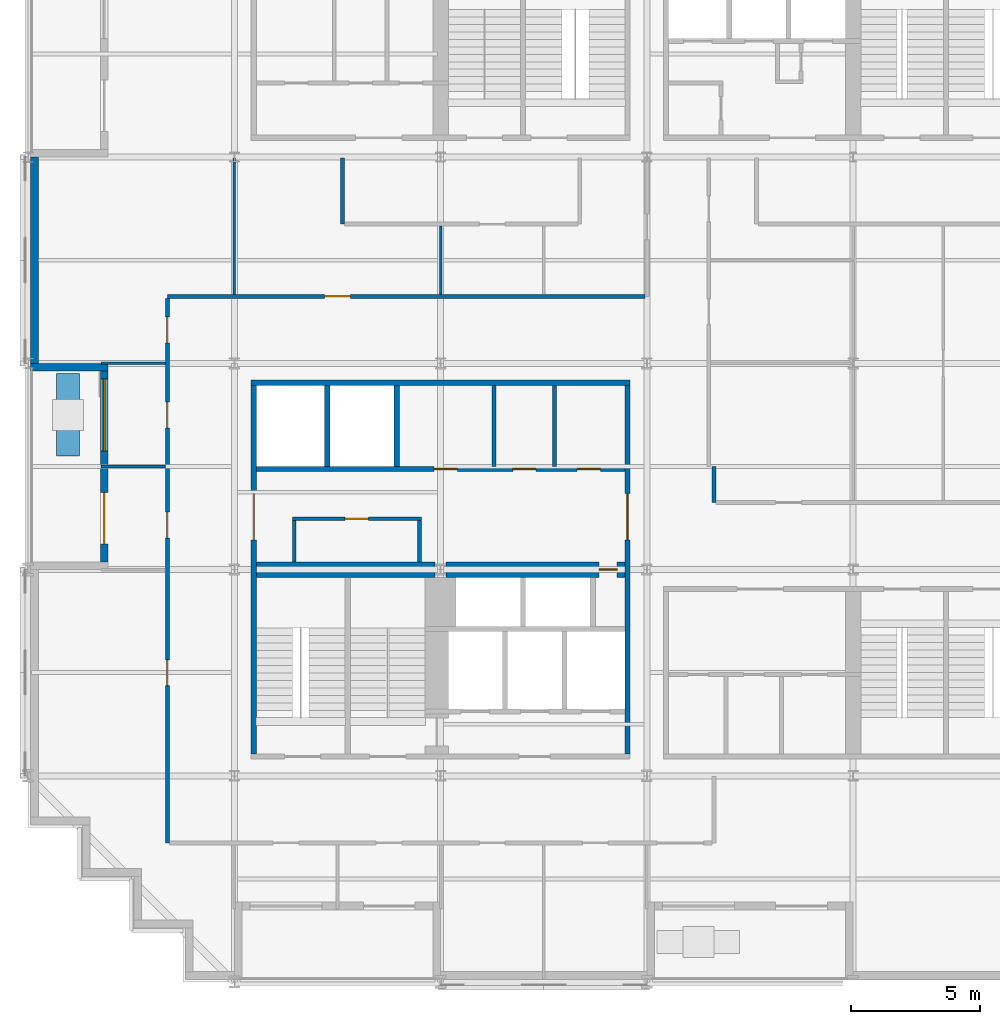
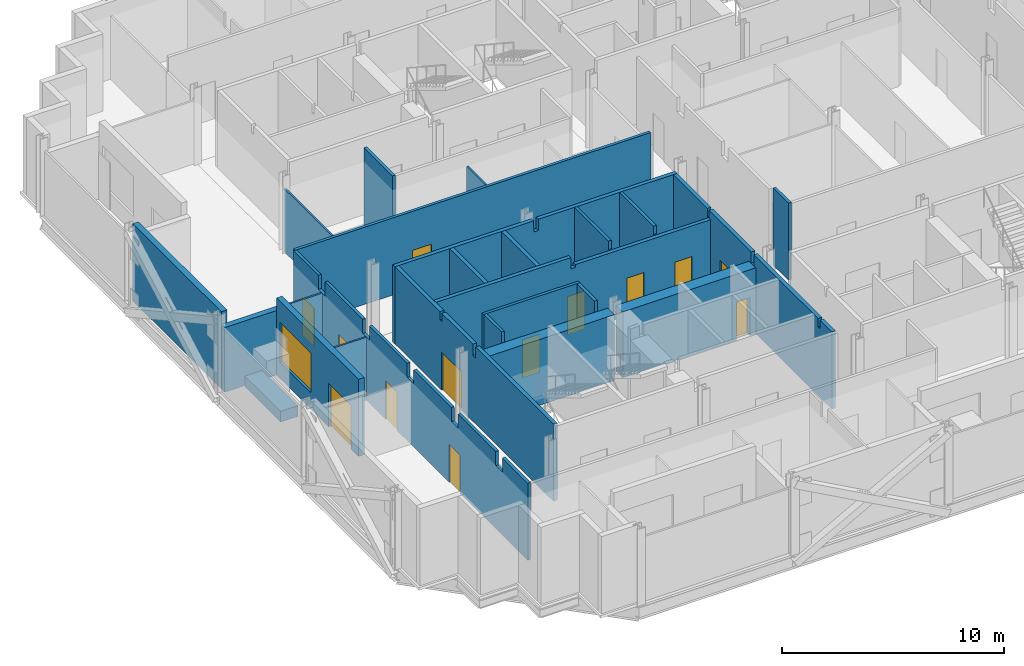
# One storey, part 7 of 15: 25 walls, 13 doors, 1 window, 14 openings.
"""IFC4 building model written with IfcOpenShell, lengths in metres."""

from ifc_helpers import new_model, si_unit, direction, frame, frame_2d, origin, place, context, subcontext, project, spatial, polyline, rectangle, outline, extrude, material, layer, layer_set, type_object, element, fill, save


model = new_model("IFC4")

# Units and contexts
model_context = context("Model", 3, precision=1e-05, world=origin(), true_north=direction((0.0, 1.0)))
body_context = subcontext(model_context, "Body", "Model", "MODEL_VIEW")
ifc_project = project(units=[si_unit("LENGTHUNIT", "METRE"), si_unit("AREAUNIT", "SQUARE_METRE"), si_unit("VOLUMEUNIT", "CUBIC_METRE"), si_unit("PLANEANGLEUNIT", "RADIAN"), si_unit("MASSUNIT", "GRAM", prefix="KILO")], contexts=[model_context])

# Site, building, storey
site_placement = place(None, origin())
site = spatial("IfcSite", under=ifc_project, at=site_placement, CompositionType="ELEMENT")
building_placement = place(site_placement, origin())
building = spatial("IfcBuilding", under=site, at=building_placement, Name="Immortelle Media Tower", CompositionType="ELEMENT")
storey_placement = place(building_placement, frame((0.0, 0.0, 105.199951171875)))
storey = spatial("IfcBuildingStorey", under=building, at=storey_placement, Name="L20", CompositionType="ELEMENT", Elevation=105.199951171875)

# Wall, opening, door
ifc_material_1 = material(Name="Fire-rated masonry blockwork", Category="masonry")
ifc_layer_1 = layer(ifc_material_1, 0.60009765625)
ifc_layer_set_1 = layer_set([ifc_layer_1], Name="Fire-rated masonry blockwork")
wall_type_1 = type_object("IfcWallType", Name="Core grid-line wall 600", PredefinedType="PARTITIONING", material=ifc_layer_set_1)
wall_1_placement = place(storey_placement, frame((16.218505859375, 16.0, 0.0), z_axis=(0.0, 0.0, 1.0), x_axis=(1.0, 0.0, 0.0)))
wall_1 = element("IfcWall", 1, at=wall_1_placement, inside=storey, type_object=wall_type_1, Name="Core grid-line wall SW", PredefinedType="PARTITIONING", context=body_context, shape_type="SweptSolid", body=[
    extrude(rectangle(XDim=6.931396484375, YDim=0.60009765625, at=frame_2d((3.4658203125, 0.0))), origin(), (0.0, 0.0, 1.0), 3.632080078125),
])
opening_1_placement = place(wall_1_placement, frame((6.63134765625, 0.0, 0.0), z_axis=(0.0, 0.0, 1.0), x_axis=(-1.0, 0.0, 0.0)))
opening_1 = element("IfcOpeningElement", 2, at=opening_1_placement, cuts=wall_1, Name="Opening N7-K013", PredefinedType="OPENING", context=body_context, shape_type="SweptSolid", body=[
    extrude(rectangle(XDim=0.699951171875, YDim=2.10009765625, at=frame_2d((0.35009765625, 1.050048828125))), frame((0.0, 0.31005859375, 0.0), z_axis=(0.0, -1.0, 0.0), x_axis=(1.0, 0.0, 0.0)), (0.0, 0.0, 1.0), 0.6201171875),
])
ifc_material_2 = material(Name="Galvanised steel door leaf and frame ASTM A653", Category="steel")
door_type_1 = type_object("IfcDoorType", Name="Service door 700 x 2100", OperationType="NOTDEFINED", PredefinedType="NOTDEFINED", material=ifc_material_2)
door_1_placement = place(opening_1_placement, origin())
door_1 = element("IfcDoor", 3, at=door_1_placement, inside=storey, type_object=door_type_1, Name="Service N7-K013", OperationType="SINGLE_SWING_RIGHT", OverallHeight=2.10009765625, OverallWidth=0.699951171875, PredefinedType="NOTDEFINED", context=body_context, shape_type="SweptSolid", body=[
    extrude(rectangle(XDim=0.699951171875, YDim=2.10009765625, at=frame_2d((0.35009765625, 1.050048828125))), frame((0.0, 0.02490234375, 0.0), z_axis=(0.0, -1.0, 0.0), x_axis=(1.0, 0.0, 0.0)), (0.0, 0.0, 1.0), 0.050048828125),
])
fill(opening_1, door_1)

# Wall
ifc_material_3 = material(Name="Fire-rated gypsum board", Category="gypsum")
ifc_layer_2 = layer(ifc_material_3, 0.02490234375)
ifc_material_4 = material(Name="Steel ASTM A653 SS Gr 50 stud frame with mineral wool", Category="steel")
ifc_layer_3 = layer(ifc_material_4, 0.10009765625)
ifc_layer_4 = layer(ifc_material_3, 0.02490234375)
ifc_layer_set_2 = layer_set([ifc_layer_2, ifc_layer_3, ifc_layer_4], Name="Steel ASTM A653 SS Gr 50 stud frame with mineral wool")
wall_type_2 = type_object("IfcWallType", Name="Core partition 150", PredefinedType="PARTITIONING", material=ifc_layer_set_2)
wall_2_placement = place(storey_placement, frame((10.324951171875, 16.300048828125, 0.0), z_axis=(0.0, 0.0, 1.0), x_axis=(0.0, 1.0, 0.0)))
element("IfcWall", 4, at=wall_2_placement, inside=storey, type_object=wall_type_2, Name="Core partition SW", PredefinedType="PARTITIONING", context=body_context, shape_type="SweptSolid", body=[
    extrude(rectangle(XDim=1.599853515625, YDim=0.14990234375, at=frame_2d((0.7998046875, 0.0))), origin(), (0.0, 0.0, 1.0), 4.25),
])

# Wall, opening, door
wall_3_placement = place(storey_placement, frame((10.25, 17.97509765625, 0.0), z_axis=(0.0, 0.0, 1.0), x_axis=(1.0, 0.0, 0.0)))
wall_3 = element("IfcWall", 5, at=wall_3_placement, inside=storey, type_object=wall_type_2, Name="Core partition SW", PredefinedType="PARTITIONING", context=body_context, shape_type="SweptSolid", body=[
    extrude(rectangle(XDim=5.0, YDim=0.14990234375, at=frame_2d((2.5, 0.0))), origin(), (0.0, 0.0, 1.0), 4.25),
])
opening_2_placement = place(wall_3_placement, frame((2.949951171875, 0.0, 0.0), z_axis=(0.0, 0.0, 1.0), x_axis=(-1.0, 0.0, 0.0)))
opening_2 = element("IfcOpeningElement", 6, at=opening_2_placement, cuts=wall_3, Name="Opening N7-K003", PredefinedType="OPENING", context=body_context, shape_type="SweptSolid", body=[
    extrude(rectangle(XDim=0.89990234375, YDim=2.10009765625, at=frame_2d((0.449951171875, 1.050048828125))), frame((0.0, 0.0849609375, 0.0), z_axis=(0.0, -1.0, 0.0), x_axis=(1.0, 0.0, 0.0)), (0.0, 0.0, 1.0), 0.169921875),
])
ifc_material_5 = material(Name="Timber", Category="wood")
door_type_2 = type_object("IfcDoorType", Name="Room door 900 x 2100", OperationType="NOTDEFINED", PredefinedType="NOTDEFINED", material=ifc_material_5)
door_2_placement = place(opening_2_placement, origin())
door_2 = element("IfcDoor", 7, at=door_2_placement, inside=storey, type_object=door_type_2, Name="Room N7-K003", OperationType="SINGLE_SWING_RIGHT", OverallHeight=2.10009765625, OverallWidth=0.89990234375, PredefinedType="NOTDEFINED", context=body_context, shape_type="SweptSolid", body=[
    extrude(rectangle(XDim=0.89990234375, YDim=2.10009765625, at=frame_2d((0.449951171875, 1.050048828125))), frame((0.0, 0.02490234375, 0.0), z_axis=(0.0, -1.0, 0.0), x_axis=(1.0, 0.0, 0.0)), (0.0, 0.0, 1.0), 0.050048828125),
])
fill(opening_2, door_2)

# Walls
wall_4_placement = place(storey_placement, frame((15.175048828125, 16.300048828125, 0.0), z_axis=(0.0, 0.0, 1.0), x_axis=(0.0, 1.0, 0.0)))
element("IfcWall", 8, at=wall_4_placement, inside=storey, type_object=wall_type_2, Name="Core partition SW", PredefinedType="PARTITIONING", context=body_context, shape_type="SweptSolid", body=[
    extrude(rectangle(XDim=1.599853515625, YDim=0.14990234375, at=frame_2d((0.7998046875, 0.0))), origin(), (0.0, 0.0, 1.0), 4.25),
])
for number, where, z_axis, x_axis, name in (
    (9, (18.074951171875, 20.0, 0.0), (0.0, 0.0, 1.0), (0.0, 1.0, 0.0), "Core partition SW"),
    (10, (20.425048828125, 20.0, 0.0), (0.0, 0.0, 1.0), (0.0, 1.0, 0.0), "Core partition SW"),
):
    element("IfcWall", number, at=place(storey_placement, frame(where, z_axis=z_axis, x_axis=x_axis)), inside=storey, type_object=wall_type_2, Name=name, PredefinedType="PARTITIONING", context=body_context, shape_type="SweptSolid", body=[
        extrude(outline(polyline([(0.0, 0.0), (3.14990234375, 0.0), (3.14990234375, 4.25), (0.08154296875, 4.25), (0.08056640625, 3.7890625), (0.0, 3.7890625), (0.0, 0.0)])), frame((0.0, 0.074951171875, 0.0), z_axis=(0.0, -1.0, 0.0), x_axis=(1.0, 0.0, 0.0)), (0.0, 0.0, 1.0), 0.14990234375),
    ])
ifc_layer_5 = layer(ifc_material_3, 0.03759765625)
ifc_layer_6 = layer(ifc_material_4, 0.125)
ifc_layer_7 = layer(ifc_material_3, 0.03759765625)
ifc_layer_set_3 = layer_set([ifc_layer_5, ifc_layer_6, ifc_layer_7], Name="Steel ASTM A653 SS Gr 50 stud frame with mineral wool")
wall_type_3 = type_object("IfcWallType", Name="Core shaft wall 200", PredefinedType="PARTITIONING", material=ifc_layer_set_3)
wall_5_placement = place(storey_placement, frame((8.64990234375, 23.25, 0.0), z_axis=(0.0, 0.0, 1.0), x_axis=(1.0, 0.0, 0.0)))
element("IfcWall", 11, at=wall_5_placement, inside=storey, type_object=wall_type_3, Name="Core shaft wall SW", PredefinedType="PARTITIONING", context=body_context, shape_type="SweptSolid", body=[
    extrude(outline(polyline([(0.0, 0.0), (14.7001953125, 0.0), (14.699951171875, 4.25), (7.469482421875, 4.25), (7.468505859375, 3.632080078125), (7.2314453125, 3.632080078125), (7.23046875, 4.25), (0.0, 4.25), (0.0, 0.0)])), frame((0.0, 0.10009765625, 0.0), z_axis=(0.0, -1.0, 0.0), x_axis=(1.0, 0.0, 0.0)), (0.0, 0.0, 1.0), 0.199951171875),
])

# Wall, openings, doors
wall_6_placement = place(storey_placement, frame((8.85009765625, 19.89990234375, 0.0), z_axis=(0.0, 0.0, 1.0), x_axis=(1.0, 0.0, 0.0)))
wall_6 = element("IfcWall", 12, at=wall_6_placement, inside=storey, type_object=wall_type_3, Name="Core shaft wall SW", PredefinedType="PARTITIONING", context=body_context, shape_type="SweptSolid", body=[
    extrude(outline(polyline([(0.0, 0.0), (14.2998046875, 0.0), (14.300048828125, 3.7890625), (7.26953125, 3.7890625), (7.2685546875, 3.632080078125), (7.031494140625, 3.632080078125), (7.030517578125, 4.25), (0.0, 4.25), (0.0, 0.0)])), frame((0.0, 0.10009765625, 0.0), z_axis=(0.0, -1.0, 0.0), x_axis=(1.0, 0.0, 0.0)), (0.0, 0.0, 1.0), 0.199951171875),
])
opening_3_placement = place(wall_6_placement, frame((6.89990234375, 0.0, 0.0)))
opening_3 = element("IfcOpeningElement", 13, at=opening_3_placement, cuts=wall_6, Name="Opening N7-K006", PredefinedType="OPENING", context=body_context, shape_type="SweptSolid", body=[
    extrude(rectangle(XDim=0.89990234375, YDim=2.10009765625, at=frame_2d((0.449951171875, 1.050048828125))), frame((0.0, 0.10986328125, 0.0), z_axis=(0.0, -1.0, 0.0), x_axis=(1.0, 0.0, 0.0)), (0.0, 0.0, 1.0), 0.219970703125),
])
opening_4_placement = place(wall_6_placement, frame((9.949951171875, 0.0, 0.0)))
opening_4 = element("IfcOpeningElement", 14, at=opening_4_placement, cuts=wall_6, Name="Opening N7-K008", PredefinedType="OPENING", context=body_context, shape_type="SweptSolid", body=[
    extrude(rectangle(XDim=0.89990234375, YDim=2.10009765625, at=frame_2d((0.449951171875, 1.050048828125))), frame((0.0, 0.10986328125, 0.0), z_axis=(0.0, -1.0, 0.0), x_axis=(1.0, 0.0, 0.0)), (0.0, 0.0, 1.0), 0.219970703125),
])
opening_5_placement = place(wall_6_placement, frame((12.449951171875, 0.0, 0.0)))
opening_5 = element("IfcOpeningElement", 15, at=opening_5_placement, cuts=wall_6, Name="Opening N7-K011", PredefinedType="OPENING", context=body_context, shape_type="SweptSolid", body=[
    extrude(rectangle(XDim=0.89990234375, YDim=2.10009765625, at=frame_2d((0.449951171875, 1.050048828125))), frame((0.0, 0.10986328125, 0.0), z_axis=(0.0, -1.0, 0.0), x_axis=(1.0, 0.0, 0.0)), (0.0, 0.0, 1.0), 0.219970703125),
])
door_3_placement = place(opening_3_placement, origin())
door_3 = element("IfcDoor", 16, at=door_3_placement, inside=storey, type_object=door_type_2, Name="Room N7-K006", OperationType="SINGLE_SWING_LEFT", OverallHeight=2.10009765625, OverallWidth=0.89990234375, PredefinedType="NOTDEFINED", context=body_context, shape_type="SweptSolid", body=[
    extrude(rectangle(XDim=0.89990234375, YDim=2.10009765625, at=frame_2d((0.449951171875, 1.050048828125))), frame((0.0, 0.02490234375, 0.0), z_axis=(0.0, -1.0, 0.0), x_axis=(1.0, 0.0, 0.0)), (0.0, 0.0, 1.0), 0.050048828125),
])
fill(opening_3, door_3)
door_type_3 = type_object("IfcDoorType", Name="Toilet door 900 x 2100", OperationType="NOTDEFINED", PredefinedType="NOTDEFINED", material=ifc_material_5)
door_4_placement = place(opening_4_placement, origin())
door_4 = element("IfcDoor", 17, at=door_4_placement, inside=storey, type_object=door_type_3, Name="Toilet N7-K008", OperationType="SINGLE_SWING_LEFT", OverallHeight=2.10009765625, OverallWidth=0.89990234375, PredefinedType="NOTDEFINED", context=body_context, shape_type="SweptSolid", body=[
    extrude(rectangle(XDim=0.89990234375, YDim=2.10009765625, at=frame_2d((0.449951171875, 1.050048828125))), frame((0.0, 0.02490234375, 0.0), z_axis=(0.0, -1.0, 0.0), x_axis=(1.0, 0.0, 0.0)), (0.0, 0.0, 1.0), 0.050048828125),
])
fill(opening_4, door_4)
door_5_placement = place(opening_5_placement, origin())
door_5 = element("IfcDoor", 18, at=door_5_placement, inside=storey, type_object=door_type_3, Name="Toilet N7-K011", OperationType="SINGLE_SWING_RIGHT", OverallHeight=2.10009765625, OverallWidth=0.89990234375, PredefinedType="NOTDEFINED", context=body_context, shape_type="SweptSolid", body=[
    extrude(rectangle(XDim=0.89990234375, YDim=2.10009765625, at=frame_2d((0.449951171875, 1.050048828125))), frame((0.0, 0.02490234375, 0.0), z_axis=(0.0, -1.0, 0.0), x_axis=(1.0, 0.0, 0.0)), (0.0, 0.0, 1.0), 0.050048828125),
])
fill(opening_5, door_5)

# Walls
for number, where, z_axis, x_axis, name in (
    (19, (11.60009765625, 20.0, 0.0), (0.0, 0.0, 1.0), (0.0, 1.0, 0.0), "Core shaft wall SW"),
    (20, (14.300048828125, 20.0, 0.0), (0.0, 0.0, 1.0), (0.0, 1.0, 0.0), "Core shaft wall SW"),
):
    element("IfcWall", number, at=place(storey_placement, frame(where, z_axis=z_axis, x_axis=x_axis)), inside=storey, type_object=wall_type_3, Name=name, PredefinedType="PARTITIONING", context=body_context, shape_type="SweptSolid", body=[
        extrude(rectangle(XDim=3.14990234375, YDim=0.199951171875, at=frame_2d((1.574951171875, 0.0))), origin(), (0.0, 0.0, 1.0), 4.25),
    ])

# Wall, opening, door
wall_7_placement = place(storey_placement, frame((23.25, 8.85009765625, 0.0), z_axis=(0.0, 0.0, 1.0), x_axis=(0.0, 1.0, 0.0)))
wall_7 = element("IfcWall", 21, at=wall_7_placement, inside=storey, type_object=wall_type_3, Name="Core shaft wall SW", PredefinedType="PARTITIONING", context=body_context, shape_type="SweptSolid", body=[
    extrude(outline(polyline([(0.0, 0.0), (14.2998046875, 0.0), (14.300048828125, 4.25), (11.2314453125, 4.25), (11.23046875, 3.7890625), (11.069580078125, 3.7890625), (11.068603515625, 4.25), (7.26953125, 4.25), (7.2685546875, 3.632080078125), (7.031494140625, 3.632080078125), (7.030517578125, 4.25), (1.2314453125, 4.25), (1.23046875, 3.7890625), (1.069580078125, 3.7890625), (1.068603515625, 4.25), (0.0, 4.25), (0.0, 0.0)])), frame((0.0, 0.10009765625, 0.0), z_axis=(0.0, -1.0, 0.0), x_axis=(1.0, 0.0, 0.0)), (0.0, 0.0, 1.0), 0.199951171875),
])
opening_6_placement = place(wall_7_placement, frame((8.300048828125, 0.0, 0.0)))
opening_6 = element("IfcOpeningElement", 22, at=opening_6_placement, cuts=wall_7, Name="Opening N7-K014", PredefinedType="OPENING", context=body_context, shape_type="SweptSolid", body=[
    extrude(rectangle(XDim=1.800048828125, YDim=2.10009765625, at=frame_2d((0.89990234375, 1.050048828125))), frame((0.0, 0.10986328125, 0.0), z_axis=(0.0, -1.0, 0.0), x_axis=(1.0, 0.0, 0.0)), (0.0, 0.0, 1.0), 0.219970703125),
])
door_type_4 = type_object("IfcDoorType", Name="Lift lobby door 1800 x 2100", OperationType="DOUBLE_DOOR_SINGLE_SWING", PredefinedType="NOTDEFINED", material=ifc_material_2)
door_6_placement = place(opening_6_placement, origin())
door_6 = element("IfcDoor", 23, at=door_6_placement, inside=storey, type_object=door_type_4, Name="Lift lobby N7-K014", OperationType="DOUBLE_DOOR_SINGLE_SWING", OverallHeight=2.10009765625, OverallWidth=1.800048828125, PredefinedType="NOTDEFINED", context=body_context, shape_type="SweptSolid", body=[
    extrude(rectangle(XDim=1.800048828125, YDim=2.10009765625, at=frame_2d((0.89990234375, 1.050048828125))), frame((0.0, 0.02490234375, 0.0), z_axis=(0.0, -1.0, 0.0), x_axis=(1.0, 0.0, 0.0)), (0.0, 0.0, 1.0), 0.050048828125),
])
fill(opening_6, door_6)

# Wall, openings, doors
ifc_layer_8 = layer(ifc_material_3, 0.012451171875)
ifc_layer_9 = layer(ifc_material_4, 0.125)
ifc_layer_10 = layer(ifc_material_3, 0.012451171875)
ifc_layer_set_4 = layer_set([ifc_layer_8, ifc_layer_9, ifc_layer_10], Name="Steel ASTM A653 SS Gr 50 stud frame with mineral wool")
wall_type_4 = type_object("IfcWallType", Name="Corridor wall 150", PredefinedType="PARTITIONING", material=ifc_layer_set_4)
wall_8_placement = place(storey_placement, frame((5.39990234375, 5.39990234375, 0.0), z_axis=(0.0, 0.0, 1.0), x_axis=(0.0, 1.0, 0.0)))
wall_8 = element("IfcWall", 24, at=wall_8_placement, inside=storey, type_object=wall_type_4, Name="Partition L20-007", PredefinedType="PARTITIONING", context=body_context, shape_type="SweptSolid", body=[
    extrude(outline(polyline([(0.0, 0.0), (21.125, 0.0), (21.125, 4.25), (18.89990234375, 4.25), (18.89794921875, 3.469970703125), (18.302001953125, 3.469970703125), (18.300048828125, 4.25), (14.89990234375, 4.25), (14.89794921875, 3.469970703125), (14.302001953125, 3.469970703125), (14.300048828125, 4.25), (10.89990234375, 4.25), (10.89794921875, 3.469970703125), (10.302001953125, 3.469970703125), (10.300048828125, 4.25), (6.89990234375, 4.25), (6.89794921875, 3.469970703125), (6.302001953125, 3.469970703125), (6.300048828125, 4.25), (2.89990234375, 4.25), (2.89794921875, 3.469970703125), (2.302001953125, 3.469970703125), (2.300048828125, 4.25), (0.0, 4.25), (0.0, 0.0)])), frame((0.0, 0.074951171875, 0.0), z_axis=(0.0, -1.0, 0.0), x_axis=(1.0, 0.0, 0.0)), (0.0, 0.0, 1.0), 0.14990234375),
])
opening_7_placement = place(wall_8_placement, frame((6.10009765625, 0.0, 0.0)))
opening_7 = element("IfcOpeningElement", 25, at=opening_7_placement, cuts=wall_8, Name="Opening N7-F006", PredefinedType="OPENING", context=body_context, shape_type="SweptSolid", body=[
    extrude(rectangle(XDim=1.0, YDim=2.10009765625, at=frame_2d((0.5, 1.050048828125))), frame((0.0, 0.0849609375, 0.0), z_axis=(0.0, -1.0, 0.0), x_axis=(1.0, 0.0, 0.0)), (0.0, 0.0, 1.0), 0.169921875),
])
opening_8_placement = place(wall_8_placement, frame((11.824951171875, 0.0, 0.0)))
opening_8 = element("IfcOpeningElement", 26, at=opening_8_placement, cuts=wall_8, Name="Opening N7-F009", PredefinedType="OPENING", context=body_context, shape_type="SweptSolid", body=[
    extrude(rectangle(XDim=1.0, YDim=2.10009765625, at=frame_2d((0.5, 1.050048828125))), frame((0.0, 0.0849609375, 0.0), z_axis=(0.0, -1.0, 0.0), x_axis=(1.0, 0.0, 0.0)), (0.0, 0.0, 1.0), 0.169921875),
])
opening_9_placement = place(wall_8_placement, frame((16.10009765625, 0.0, 0.0)))
opening_9 = element("IfcOpeningElement", 27, at=opening_9_placement, cuts=wall_8, Name="Opening N7-F010", PredefinedType="OPENING", context=body_context, shape_type="SweptSolid", body=[
    extrude(rectangle(XDim=1.0, YDim=2.10009765625, at=frame_2d((0.5, 1.050048828125))), frame((0.0, 0.0849609375, 0.0), z_axis=(0.0, -1.0, 0.0), x_axis=(1.0, 0.0, 0.0)), (0.0, 0.0, 1.0), 0.169921875),
])
opening_10_placement = place(wall_8_placement, frame((19.39990234375, 0.0, 0.0)))
opening_10 = element("IfcOpeningElement", 28, at=opening_10_placement, cuts=wall_8, Name="Opening N7-F022", PredefinedType="OPENING", context=body_context, shape_type="SweptSolid", body=[
    extrude(rectangle(XDim=1.0, YDim=2.10009765625, at=frame_2d((0.5, 1.050048828125))), frame((0.0, 0.0849609375, 0.0), z_axis=(0.0, -1.0, 0.0), x_axis=(1.0, 0.0, 0.0)), (0.0, 0.0, 1.0), 0.169921875),
])
ifc_material_6 = material(Name="Timber veneered door leaf, galvanised steel frame ASTM A653", Category="steel")
door_type_5 = type_object("IfcDoorType", Name="Room door 1000 x 2100", OperationType="NOTDEFINED", PredefinedType="DOOR", material=ifc_material_6)
door_7_placement = place(opening_7_placement, origin())
door_7 = element("IfcDoor", 29, at=door_7_placement, inside=storey, type_object=door_type_5, Name="Door N7-F006", OperationType="SINGLE_SWING_RIGHT", OverallHeight=2.10009765625, OverallWidth=1.0, PredefinedType="DOOR", context=body_context, shape_type="SweptSolid", body=[
    extrude(rectangle(XDim=1.0, YDim=2.10009765625, at=frame_2d((0.5, 1.050048828125))), frame((0.0, 0.02490234375, 0.0), z_axis=(0.0, -1.0, 0.0), x_axis=(1.0, 0.0, 0.0)), (0.0, 0.0, 1.0), 0.050048828125),
])
fill(opening_7, door_7)
door_8_placement = place(opening_8_placement, origin())
door_8 = element("IfcDoor", 30, at=door_8_placement, inside=storey, type_object=door_type_5, Name="Door N7-F009", OperationType="SINGLE_SWING_LEFT", OverallHeight=2.10009765625, OverallWidth=1.0, PredefinedType="DOOR", context=body_context, shape_type="SweptSolid", body=[
    extrude(rectangle(XDim=1.0, YDim=2.10009765625, at=frame_2d((0.5, 1.050048828125))), frame((0.0, 0.02490234375, 0.0), z_axis=(0.0, -1.0, 0.0), x_axis=(1.0, 0.0, 0.0)), (0.0, 0.0, 1.0), 0.050048828125),
])
fill(opening_8, door_8)
door_9_placement = place(opening_9_placement, origin())
door_9 = element("IfcDoor", 31, at=door_9_placement, inside=storey, type_object=door_type_5, Name="Door N7-F010", OperationType="SINGLE_SWING_RIGHT", OverallHeight=2.10009765625, OverallWidth=1.0, PredefinedType="DOOR", context=body_context, shape_type="SweptSolid", body=[
    extrude(rectangle(XDim=1.0, YDim=2.10009765625, at=frame_2d((0.5, 1.050048828125))), frame((0.0, 0.02490234375, 0.0), z_axis=(0.0, -1.0, 0.0), x_axis=(1.0, 0.0, 0.0)), (0.0, 0.0, 1.0), 0.050048828125),
])
fill(opening_9, door_9)
door_10_placement = place(opening_10_placement, origin())
door_10 = element("IfcDoor", 32, at=door_10_placement, inside=storey, type_object=door_type_5, Name="Door N7-F022", OperationType="SINGLE_SWING_LEFT", OverallHeight=2.10009765625, OverallWidth=1.0, PredefinedType="DOOR", context=body_context, shape_type="SweptSolid", body=[
    extrude(rectangle(XDim=1.0, YDim=2.10009765625, at=frame_2d((0.5, 1.050048828125))), frame((0.0, 0.02490234375, 0.0), z_axis=(0.0, -1.0, 0.0), x_axis=(1.0, 0.0, 0.0)), (0.0, 0.0, 1.0), 0.050048828125),
])
fill(opening_10, door_10)

# Wall
wall_9_placement = place(storey_placement, frame((26.60009765625, 18.60009765625, 0.0), z_axis=(0.0, 0.0, 1.0), x_axis=(0.0, 1.0, 0.0)))
element("IfcWall", 33, at=wall_9_placement, inside=storey, type_object=wall_type_4, Name="Partition L20-016", PredefinedType="PARTITIONING", context=body_context, shape_type="SweptSolid", body=[
    extrude(rectangle(XDim=1.39990234375, YDim=0.14990234375, at=frame_2d((0.699951171875, 0.0))), origin(), (0.0, 0.0, 1.0), 4.25),
])

# Wall, opening, door
wall_10_placement = place(storey_placement, frame((5.39990234375, 26.60009765625, 0.0), z_axis=(0.0, 0.0, 1.0), x_axis=(1.0, 0.0, 0.0)))
wall_10 = element("IfcWall", 34, at=wall_10_placement, inside=storey, type_object=wall_type_4, Name="Partition L20-027", PredefinedType="PARTITIONING", context=body_context, shape_type="SweptSolid", body=[
    extrude(rectangle(XDim=18.525146484375, YDim=0.14990234375, at=frame_2d((9.2626953125, 0.0))), origin(), (0.0, 0.0, 1.0), 4.25),
])
opening_11_placement = place(wall_10_placement, frame((6.10009765625, 0.0, 0.0)))
opening_11 = element("IfcOpeningElement", 35, at=opening_11_placement, cuts=wall_10, Name="Opening N7-F021", PredefinedType="OPENING", context=body_context, shape_type="SweptSolid", body=[
    extrude(rectangle(XDim=1.0, YDim=2.10009765625, at=frame_2d((0.5, 1.050048828125))), frame((0.0, 0.0849609375, 0.0), z_axis=(0.0, -1.0, 0.0), x_axis=(1.0, 0.0, 0.0)), (0.0, 0.0, 1.0), 0.169921875),
])
door_11_placement = place(opening_11_placement, origin())
door_11 = element("IfcDoor", 36, at=door_11_placement, inside=storey, type_object=door_type_5, Name="Door N7-F021", OperationType="SINGLE_SWING_RIGHT", OverallHeight=2.10009765625, OverallWidth=1.0, PredefinedType="DOOR", context=body_context, shape_type="SweptSolid", body=[
    extrude(rectangle(XDim=1.0, YDim=2.10009765625, at=frame_2d((0.5, 1.050048828125))), frame((0.0, 0.02490234375, 0.0), z_axis=(0.0, -1.0, 0.0), x_axis=(1.0, 0.0, 0.0)), (0.0, 0.0, 1.0), 0.050048828125),
])
fill(opening_11, door_11)

# Walls
wall_11_placement = place(storey_placement, frame((12.199951171875, 29.39990234375, 0.0), z_axis=(0.0, 0.0, 1.0), x_axis=(0.0, 1.0, 0.0)))
element("IfcWall", 37, at=wall_11_placement, inside=storey, type_object=wall_type_4, Name="Partition L20-035", PredefinedType="PARTITIONING", context=body_context, shape_type="SweptSolid", body=[
    extrude(rectangle(XDim=2.570068359375, YDim=0.14990234375, at=frame_2d((1.28515625, 0.0))), origin(), (0.0, 0.0, 1.0), 4.25),
])
ifc_material_7 = material(Name="Pale aluminium cladding panel", Category="aluminium")
ifc_layer_11 = layer(ifc_material_7, 0.030029296875)
ifc_layer_12 = layer(ifc_material_4, 0.257568359375)
ifc_material_8 = material(Name="Moisture-resistant gypsum board", Category="gypsum")
ifc_layer_13 = layer(ifc_material_8, 0.012451171875)
ifc_layer_set_5 = layer_set([ifc_layer_11, ifc_layer_12, ifc_layer_13], Name="Steel ASTM A653 SS Gr 50 stud frame with mineral wool")
wall_type_5 = type_object("IfcWallType", Name="Facade wall 300", PredefinedType="SOLIDWALL", material=ifc_layer_set_5)
wall_12_placement = place(storey_placement, frame((0.25, 32.0, 0.0), z_axis=(0.0, 0.0, 1.0), x_axis=(0.0, -1.0, 0.0)))
element("IfcWall", 38, at=wall_12_placement, inside=storey, type_object=wall_type_5, Name="Facade wall L20 W0", PredefinedType="SOLIDWALL", context=body_context, shape_type="SweptSolid", body=[
    extrude(rectangle(XDim=8.0, YDim=0.300048828125, at=frame_2d((4.0, 0.0))), origin(), (0.0, 0.0, 1.0), 4.25),
])

# Wall, openings, door, window
wall_13_placement = place(storey_placement, frame((2.949951171875, 23.699951171875, 0.0), z_axis=(0.0, 0.0, 1.0), x_axis=(0.0, -1.0, 0.0)))
wall_13 = element("IfcWall", 39, at=wall_13_placement, inside=storey, type_object=wall_type_5, Name="Loggia wall L20 W0", PredefinedType="SOLIDWALL", context=body_context, shape_type="SweptSolid", body=[
    extrude(rectangle(XDim=7.39990234375, YDim=0.300048828125, at=frame_2d((3.699951171875, 0.0))), origin(), (0.0, 0.0, 1.0), 4.25),
])
opening_12_placement = place(wall_13_placement, frame((0.300048828125, 0.0, 0.89990234375)))
opening_12 = element("IfcOpeningElement", 40, at=opening_12_placement, cuts=wall_13, Name="Opening W1", PredefinedType="OPENING", context=body_context, shape_type="SweptSolid", body=[
    extrude(rectangle(XDim=2.800048828125, YDim=2.199951171875, at=frame_2d((1.39990234375, 1.10009765625))), frame((0.0, 0.159912109375, 0.0), z_axis=(0.0, -1.0, 0.0), x_axis=(1.0, 0.0, 0.0)), (0.0, 0.0, 1.0), 0.320068359375),
])
opening_13_placement = place(wall_13_placement, frame((4.699951171875, 0.0, 0.0)))
opening_13 = element("IfcOpeningElement", 41, at=opening_13_placement, cuts=wall_13, Name="Opening N7-E002", PredefinedType="OPENING", context=body_context, shape_type="SweptSolid", body=[
    extrude(rectangle(XDim=2.0, YDim=2.39990234375, at=frame_2d((1.0, 1.199951171875))), frame((0.0, 0.159912109375, 0.0), z_axis=(0.0, -1.0, 0.0), x_axis=(1.0, 0.0, 0.0)), (0.0, 0.0, 1.0), 0.320068359375),
])
ifc_material_9 = material(Name="Aluminium frame, glazed leaves", Category="aluminium")
door_type_6 = type_object("IfcDoorType", Name="Loggia door 2000 x 2400", OperationType="DOUBLE_DOOR_SINGLE_SWING", PredefinedType="DOOR", material=ifc_material_9)
door_12_placement = place(opening_13_placement, origin())
door_12 = element("IfcDoor", 42, at=door_12_placement, inside=storey, type_object=door_type_6, Name="Door N7-E002", OperationType="DOUBLE_DOOR_SINGLE_SWING", OverallHeight=2.39990234375, OverallWidth=2.0, PredefinedType="DOOR", context=body_context, shape_type="SweptSolid", body=[
    extrude(rectangle(XDim=2.0, YDim=2.39990234375, at=frame_2d((1.0, 1.199951171875))), frame((0.0, 0.02490234375, 0.0), z_axis=(0.0, -1.0, 0.0), x_axis=(1.0, 0.0, 0.0)), (0.0, 0.0, 1.0), 0.050048828125),
])
fill(opening_13, door_12)
ifc_material_10 = material(Name="Aluminium frame", Category="aluminium")
window_type = type_object("IfcWindowType", Name="Window 2800 x 2200", PartitioningType="SINGLE_PANEL", PredefinedType="WINDOW", material=ifc_material_10)
window_placement = place(opening_12_placement, origin())
window = element("IfcWindow", 43, at=window_placement, inside=storey, type_object=window_type, Name="Window L20 L20-R0-B2", OverallHeight=2.199951171875, OverallWidth=2.800048828125, PartitioningType="SINGLE_PANEL", PredefinedType="WINDOW", context=body_context, shape_type="SweptSolid", body=[
    extrude(rectangle(XDim=2.800048828125, YDim=2.199951171875, at=frame_2d((1.39990234375, 1.10009765625))), frame((0.0, 0.030029296875, 0.0), z_axis=(0.0, -1.0, 0.0), x_axis=(1.0, 0.0, 0.0)), (0.0, 0.0, 1.0), 0.06005859375),
])
fill(opening_12, window)

# Walls
wall_14_placement = place(storey_placement, frame((0.10009765625, 23.85009765625, 0.0), z_axis=(0.0, 0.0, 1.0), x_axis=(1.0, 0.0, 0.0)))
element("IfcWall", 44, at=wall_14_placement, inside=storey, type_object=wall_type_5, Name="Loggia cheek wall L20 W", PredefinedType="SOLIDWALL", context=body_context, shape_type="SweptSolid", body=[
    extrude(rectangle(XDim=3.0, YDim=0.300048828125, at=frame_2d((1.5, 0.0))), origin(), (0.0, 0.0, 1.0), 3.55615234375),
])
ifc_material_11 = material(Name="Gypsum board", Category="gypsum")
ifc_layer_14 = layer(ifc_material_11, 0.012451171875)
ifc_layer_15 = layer(ifc_material_4, 0.074951171875)
ifc_layer_16 = layer(ifc_material_11, 0.012451171875)
ifc_layer_set_6 = layer_set([ifc_layer_14, ifc_layer_15, ifc_layer_16], Name="Steel ASTM A653 SS Gr 50 stud frame with mineral wool")
wall_type_6 = type_object("IfcWallType", Name="Partition 100", PredefinedType="PARTITIONING", material=ifc_layer_set_6)
for number, where, z_axis, x_axis, name in (
    (45, (2.830078125, 20.0, 0.0), (0.0, 0.0, 1.0), (1.0, 0.0, 0.0), "Partition L20-020"),
    (46, (2.830078125, 24.0, 0.0), (0.0, 0.0, 1.0), (1.0, 0.0, 0.0), "Partition L20-023"),
):
    element("IfcWall", number, at=place(storey_placement, frame(where, z_axis=z_axis, x_axis=x_axis)), inside=storey, type_object=wall_type_6, Name=name, PredefinedType="PARTITIONING", context=body_context, shape_type="SweptSolid", body=[
        extrude(rectangle(XDim=2.494873046875, YDim=0.10009765625, at=frame_2d((1.24755859375, 0.0))), origin(), (0.0, 0.0, 1.0), 3.469970703125),
    ])
wall_15_placement = place(storey_placement, frame((8.0, 26.675048828125, 0.0), z_axis=(0.0, 0.0, 1.0), x_axis=(0.0, 1.0, 0.0)))
element("IfcWall", 47, at=wall_15_placement, inside=storey, type_object=wall_type_6, Name="Partition L20-028", PredefinedType="PARTITIONING", context=body_context, shape_type="SweptSolid", body=[
    extrude(rectangle(XDim=5.294921875, YDim=0.10009765625, at=frame_2d((2.6474609375, 0.0))), origin(), (0.0, 0.0, 1.0), 3.469970703125),
])
wall_16_placement = place(storey_placement, frame((16.0, 26.675048828125, 0.0), z_axis=(0.0, 0.0, 1.0), x_axis=(0.0, 1.0, 0.0)))
element("IfcWall", 48, at=wall_16_placement, inside=storey, type_object=wall_type_6, Name="Partition L20-029", PredefinedType="PARTITIONING", context=body_context, shape_type="SweptSolid", body=[
    extrude(rectangle(XDim=2.64990234375, YDim=0.10009765625, at=frame_2d((1.324951171875, 0.0))), origin(), (0.0, 0.0, 1.0), 3.469970703125),
])
ifc_layer_17 = layer(ifc_material_7, 0.0029296875)
ifc_material_12 = material(Name="Steel ASTM A572 Gr 50 planter shell", Category="steel")
ifc_layer_18 = layer(ifc_material_12, 0.011962890625)
ifc_material_13 = material(Name="Planting substrate", Category="soil")
ifc_layer_19 = layer(ifc_material_13, 0.873046875)
ifc_layer_20 = layer(ifc_material_12, 0.011962890625)
ifc_layer_set_7 = layer_set([ifc_layer_17, ifc_layer_18, ifc_layer_19, ifc_layer_20], Name="Steel ASTM A572 Gr 50 planter shell")
wall_type_7 = type_object("IfcWallType", Name="Planter wall 900", PredefinedType="SOLIDWALL", material=ifc_layer_set_7)
wall_17_placement = place(storey_placement, frame((1.550048828125, 23.60009765625, 0.0), z_axis=(0.0, 0.0, 1.0), x_axis=(0.0, -1.0, 0.0)))
element("IfcWall", 49, at=wall_17_placement, inside=storey, type_object=wall_type_7, Name="Planter L20 W2", PredefinedType="SOLIDWALL", context=body_context, shape_type="SweptSolid", body=[
    extrude(rectangle(XDim=3.2001953125, YDim=0.89990234375, at=frame_2d((1.60009765625, 0.0))), origin(), (0.0, 0.0, 1.0), 0.60009765625),
])

# Wall, opening, door
ifc_material_14 = material(Name="Concrete C60", Category="concrete")
ifc_layer_21 = layer(ifc_material_14, 0.199951171875)
ifc_layer_set_8 = layer_set([ifc_layer_21], Name="Concrete C60")
wall_type_8 = type_object("IfcWallType", Name="Stair shaft wall 200", PredefinedType="PARTITIONING", material=ifc_layer_set_8)
wall_18_placement = place(storey_placement, frame((8.75, 8.85009765625, 0.0), z_axis=(0.0, 0.0, 1.0), x_axis=(0.0, 1.0, 0.0)))
wall_18 = element("IfcWall", 50, at=wall_18_placement, inside=storey, type_object=wall_type_8, Name="Stair shaft wall SW", PredefinedType="PARTITIONING", context=body_context, shape_type="SweptSolid", body=[
    extrude(outline(polyline([(0.0, 0.0), (14.2998046875, 0.0), (14.300048828125, 4.25), (10.2314453125, 4.25), (10.23046875, 3.7890625), (10.069580078125, 3.7890625), (10.068603515625, 4.25), (7.26953125, 4.25), (7.2685546875, 3.632080078125), (7.031494140625, 3.632080078125), (7.030517578125, 4.25), (0.0, 4.25), (0.0, 0.0)])), frame((0.0, 0.10009765625, 0.0), z_axis=(0.0, -1.0, 0.0), x_axis=(1.0, 0.0, 0.0)), (0.0, 0.0, 1.0), 0.199951171875),
])
opening_14_placement = place(wall_18_placement, frame((8.300048828125, 0.0, 0.0)))
opening_14 = element("IfcOpeningElement", 51, at=opening_14_placement, cuts=wall_18, Name="Opening N7-K001", PredefinedType="OPENING", context=body_context, shape_type="SweptSolid", body=[
    extrude(rectangle(XDim=1.800048828125, YDim=2.10009765625, at=frame_2d((0.89990234375, 1.050048828125))), frame((0.0, 0.10986328125, 0.0), z_axis=(0.0, -1.0, 0.0), x_axis=(1.0, 0.0, 0.0)), (0.0, 0.0, 1.0), 0.219970703125),
])
door_13_placement = place(opening_14_placement, origin())
door_13 = element("IfcDoor", 52, at=door_13_placement, inside=storey, type_object=door_type_4, Name="Lift lobby N7-K001", OperationType="DOUBLE_DOOR_SINGLE_SWING", OverallHeight=2.10009765625, OverallWidth=1.800048828125, PredefinedType="NOTDEFINED", context=body_context, shape_type="SweptSolid", body=[
    extrude(rectangle(XDim=1.800048828125, YDim=2.10009765625, at=frame_2d((0.89990234375, 1.050048828125))), frame((0.0, 0.02490234375, 0.0), z_axis=(0.0, -1.0, 0.0), x_axis=(1.0, 0.0, 0.0)), (0.0, 0.0, 1.0), 0.050048828125),
])
fill(opening_14, door_13)

# Wall
ifc_layer_22 = layer(ifc_material_14, 0.60009765625)
ifc_layer_set_9 = layer_set([ifc_layer_22], Name="Concrete C60")
wall_type_9 = type_object("IfcWallType", Name="Stair shaft wall 600", PredefinedType="PARTITIONING", material=ifc_layer_set_9)
wall_19_placement = place(storey_placement, frame((8.85009765625, 16.0, 0.0), z_axis=(0.0, 0.0, 1.0), x_axis=(1.0, 0.0, 0.0)))
element("IfcWall", 53, at=wall_19_placement, inside=storey, type_object=wall_type_9, Name="Stair shaft wall SW", PredefinedType="PARTITIONING", context=body_context, shape_type="SweptSolid", body=[
    extrude(rectangle(XDim=6.931396484375, YDim=0.60009765625, at=frame_2d((3.4658203125, 0.0))), origin(), (0.0, 0.0, 1.0), 3.632080078125),
])

save(model, "model.ifc")
